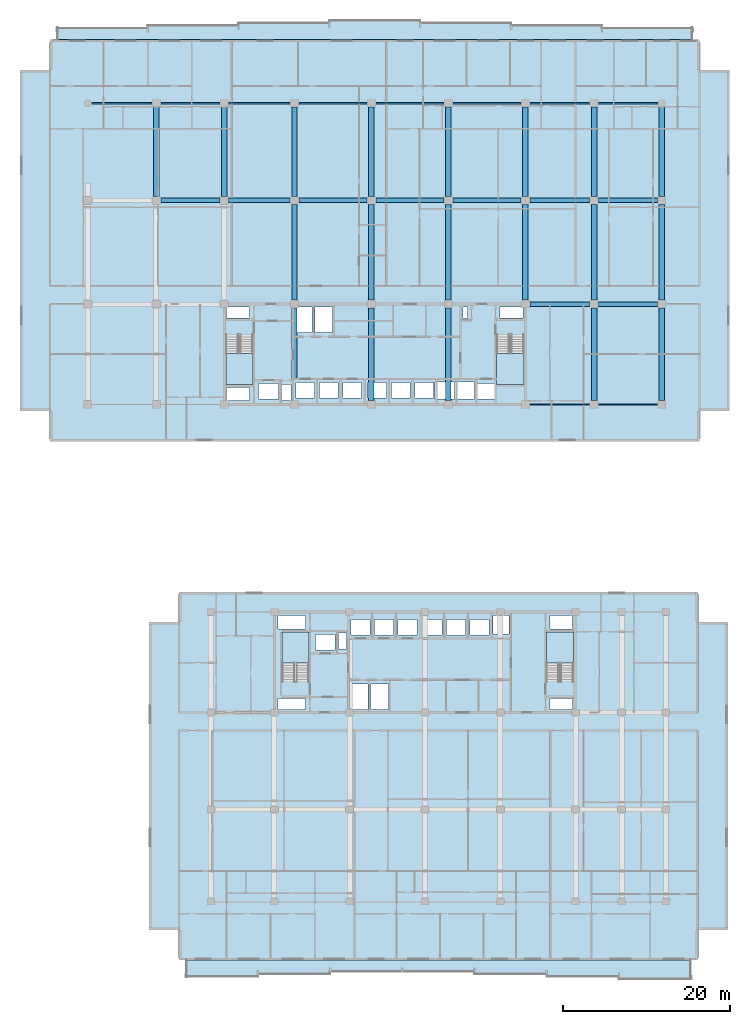
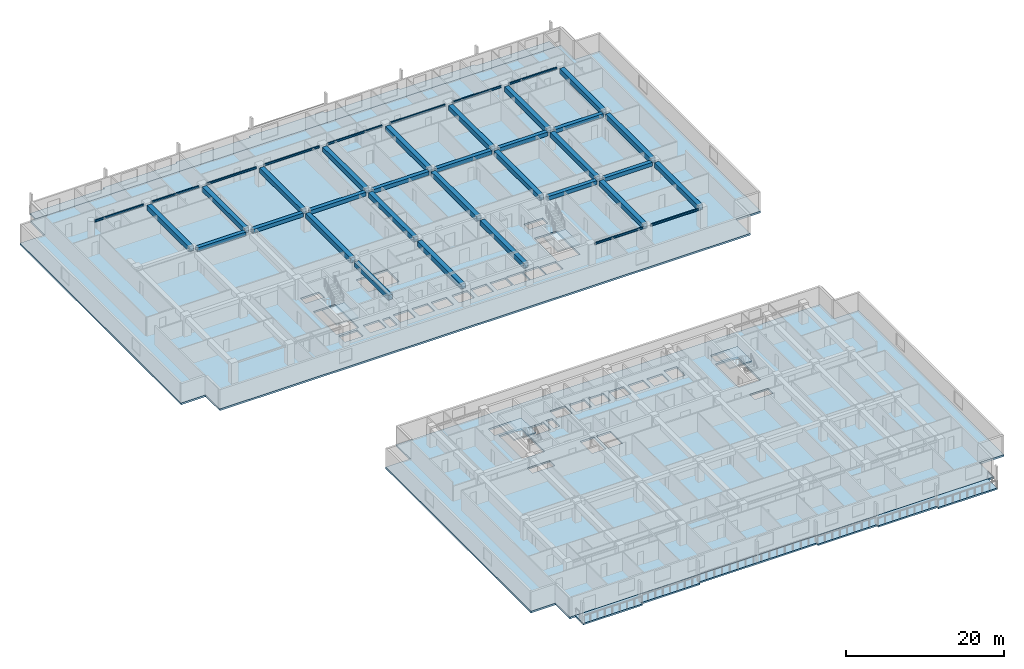
# One storey, part 2 of 23: 38 beams, 8 slabs, 4 elements without a shape of their own.
"""IFC4 building model written with IfcOpenShell, lengths in metres."""

from ifc_helpers import new_model, si_unit, direction, frame, origin, origin_2d, place, context, subcontext, project, spatial, polyline, rectangle, i_section, outline, extrude, material, layer, layer_set, material_profile, profile_set, type_object, element, aggregate, save


model = new_model("IFC4")

# Units and contexts
model_context = context("Model", 3, precision=1e-05, world=origin(), true_north=direction((0.0, 1.0)))
body_context = subcontext(model_context, "Body", "Model", "MODEL_VIEW")
ifc_project = project(units=[si_unit("LENGTHUNIT", "METRE"), si_unit("AREAUNIT", "SQUARE_METRE"), si_unit("VOLUMEUNIT", "CUBIC_METRE"), si_unit("PLANEANGLEUNIT", "RADIAN"), si_unit("MASSUNIT", "GRAM", prefix="KILO")], contexts=[model_context])

# Site, building, storey
site_placement = place(None, origin())
site = spatial("IfcSite", under=ifc_project, at=site_placement, CompositionType="ELEMENT")
building_placement = place(site_placement, origin())
building = spatial("IfcBuilding", under=site, at=building_placement, Name="Korimba Cascade Residences", CompositionType="ELEMENT")
storey_placement = place(building_placement, frame((0.0, 0.0, 53.25)))
storey = spatial("IfcBuildingStorey", under=building, at=storey_placement, Name="L14", CompositionType="ELEMENT", Elevation=53.25)

# Beams
ifc_material_1 = material(Name="Concrete C50/60", Category="concrete")
ifc_material_profile_1 = material_profile(ifc_material_1, rectangle(XDim=0.550048828125, YDim=0.60009765625, at=origin_2d()), Name="Concrete C50/60")
ifc_profile_set_1 = profile_set([ifc_material_profile_1], Name="Concrete C50/60")
beam_type_1 = type_object("IfcBeamType", Name="BM-RC-B600", PredefinedType="BEAM", material=ifc_profile_set_1)
beam_1_placement = place(storey_placement, frame((112.625, 67.199951171875, 2.669921875), z_axis=(1.0, 0.0, 0.0), x_axis=(0.0, 1.0, 0.0)))
element("IfcBeam", 1, at=beam_1_placement, inside=storey, type_object=beam_type_1, Name="L14 T1 E-W Girder Y2 Bay 7", PredefinedType="BEAM", context=body_context, shape_type="SweptSolid", body=[
    extrude(rectangle(XDim=0.550048828125, YDim=0.60009765625, at=origin_2d()), origin(), (0.0, 0.0, 1.0), 7.14990234375),
])
for number, where, z_axis, x_axis, name in (
    (2, (120.824951171875, 67.199951171875, 2.669921875), (1.0, 0.0, 0.0), (0.0, 1.0, 0.0), "L14 T1 E-W Girder Y2 Bay 8"),
    (3, (68.52490234375, 79.60009765625, 2.669921875), (1.0, 0.0, 0.0), (0.0, 1.0, 0.0), "L14 T1 E-W Girder Y3 Bay 2"),
):
    element("IfcBeam", number, at=place(storey_placement, frame(where, z_axis=z_axis, x_axis=x_axis)), inside=storey, type_object=beam_type_1, Name=name, PredefinedType="BEAM", context=body_context, shape_type="SweptSolid", body=[
        extrude(rectangle(XDim=0.550048828125, YDim=0.60009765625, at=origin_2d()), origin(), (0.0, 0.0, 1.0), 7.050048828125),
    ])
beam_2_placement = place(storey_placement, frame((76.625, 79.60009765625, 2.669921875), z_axis=(1.0, 0.0, 0.0), x_axis=(0.0, 1.0, 0.0)))
element("IfcBeam", 4, at=beam_2_placement, inside=storey, type_object=beam_type_1, Name="L14 T1 E-W Girder Y3 Bay 3", PredefinedType="BEAM", context=body_context, shape_type="SweptSolid", body=[
    extrude(rectangle(XDim=0.550048828125, YDim=0.60009765625, at=origin_2d()), origin(), (0.0, 0.0, 1.0), 7.35009765625),
])
beam_3_placement = place(storey_placement, frame((85.02490234375, 79.60009765625, 2.669921875), z_axis=(1.0, 0.0, 0.0), x_axis=(0.0, 1.0, 0.0)))
element("IfcBeam", 5, at=beam_3_placement, inside=storey, type_object=beam_type_1, Name="L14 T1 E-W Girder Y3 Bay 4", PredefinedType="BEAM", context=body_context, shape_type="SweptSolid", body=[
    extrude(rectangle(XDim=0.550048828125, YDim=0.60009765625, at=origin_2d()), origin(), (0.0, 0.0, 1.0), 8.150146484375),
])
for number, where, z_axis, x_axis, name in (
    (6, (94.22509765625, 79.60009765625, 2.669921875), (1.0, 0.0, 0.0), (0.0, 1.0, 0.0), "L14 T1 E-W Girder Y3 Bay 5"),
    (7, (103.425048828125, 79.60009765625, 2.669921875), (1.0, 0.0, 0.0), (0.0, 1.0, 0.0), "L14 T1 E-W Girder Y3 Bay 6"),
):
    element("IfcBeam", number, at=place(storey_placement, frame(where, z_axis=z_axis, x_axis=x_axis)), inside=storey, type_object=beam_type_1, Name=name, PredefinedType="BEAM", context=body_context, shape_type="SweptSolid", body=[
        extrude(rectangle(XDim=0.550048828125, YDim=0.60009765625, at=origin_2d()), origin(), (0.0, 0.0, 1.0), 8.14990234375),
    ])
beam_4_placement = place(storey_placement, frame((112.625, 79.60009765625, 2.669921875), z_axis=(1.0, 0.0, 0.0), x_axis=(0.0, 1.0, 0.0)))
element("IfcBeam", 8, at=beam_4_placement, inside=storey, type_object=beam_type_1, Name="L14 T1 E-W Girder Y3 Bay 7", PredefinedType="BEAM", context=body_context, shape_type="SweptSolid", body=[
    extrude(rectangle(XDim=0.550048828125, YDim=0.60009765625, at=origin_2d()), origin(), (0.0, 0.0, 1.0), 7.14990234375),
])
beam_5_placement = place(storey_placement, frame((120.824951171875, 79.60009765625, 2.669921875), z_axis=(1.0, 0.0, 0.0), x_axis=(0.0, 1.0, 0.0)))
element("IfcBeam", 9, at=beam_5_placement, inside=storey, type_object=beam_type_1, Name="L14 T1 E-W Girder Y3 Bay 8", PredefinedType="BEAM", context=body_context, shape_type="SweptSolid", body=[
    extrude(rectangle(XDim=0.550048828125, YDim=0.60009765625, at=origin_2d()), origin(), (0.0, 0.0, 1.0), 7.050048828125),
])
ifc_material_profile_2 = material_profile(ifc_material_1, rectangle(XDim=0.64990234375, YDim=0.75, at=origin_2d()), Name="Concrete C50/60")
ifc_profile_set_2 = profile_set([ifc_material_profile_2], Name="Concrete C50/60")
beam_type_2 = type_object("IfcBeamType", Name="BM-RC-G750", PredefinedType="BEAM", material=ifc_profile_set_2)
for number, where, z_axis, x_axis, name in (
    (10, (68.0, 80.074951171875, 2.594970703125), (0.0, 1.0, 0.0), (-1.0, 0.0, 0.0), "L14 T1 N-S Girder X2 Seg 3"),
    (11, (76.10009765625, 80.074951171875, 2.594970703125), (0.0, 1.0, 0.0), (-1.0, 0.0, 0.0), "L14 T1 N-S Girder X3 Seg 3"),
):
    element("IfcBeam", number, at=place(storey_placement, frame(where, z_axis=z_axis, x_axis=x_axis)), inside=storey, type_object=beam_type_2, Name=name, PredefinedType="BEAM", context=body_context, shape_type="SweptSolid", body=[
        extrude(rectangle(XDim=0.64990234375, YDim=0.75, at=origin_2d()), origin(), (0.0, 0.0, 1.0), 10.650146484375),
    ])
beam_6_placement = place(storey_placement, frame((84.5, 58.159912109375, 2.594970703125), z_axis=(0.0, 1.0, 0.0), x_axis=(-1.0, 0.0, 0.0)))
element("IfcBeam", 12, at=beam_6_placement, inside=storey, type_object=beam_type_2, Name="L14 T1 N-S Girder X4 Seg 1", PredefinedType="BEAM", context=body_context, shape_type="SweptSolid", body=[
    extrude(rectangle(XDim=0.64990234375, YDim=0.75, at=origin_2d()), origin(), (0.0, 0.0, 1.0), 8.565185546875),
])
beam_7_placement = place(storey_placement, frame((84.5, 67.675048828125, 2.594970703125), z_axis=(0.0, 1.0, 0.0), x_axis=(-1.0, 0.0, 0.0)))
element("IfcBeam", 13, at=beam_7_placement, inside=storey, type_object=beam_type_2, Name="L14 T1 N-S Girder X4 Seg 2", PredefinedType="BEAM", context=body_context, shape_type="SweptSolid", body=[
    extrude(rectangle(XDim=0.64990234375, YDim=0.75, at=origin_2d()), origin(), (0.0, 0.0, 1.0), 11.449951171875),
])
beam_8_placement = place(storey_placement, frame((84.5, 80.074951171875, 2.594970703125), z_axis=(0.0, 1.0, 0.0), x_axis=(-1.0, 0.0, 0.0)))
element("IfcBeam", 14, at=beam_8_placement, inside=storey, type_object=beam_type_2, Name="L14 T1 N-S Girder X4 Seg 3", PredefinedType="BEAM", context=body_context, shape_type="SweptSolid", body=[
    extrude(rectangle(XDim=0.64990234375, YDim=0.75, at=origin_2d()), origin(), (0.0, 0.0, 1.0), 10.650146484375),
])
beam_9_placement = place(storey_placement, frame((93.699951171875, 55.675048828125, 2.594970703125), z_axis=(0.0, 1.0, 0.0), x_axis=(-1.0, 0.0, 0.0)))
element("IfcBeam", 15, at=beam_9_placement, inside=storey, type_object=beam_type_2, Name="L14 T1 N-S Girder X5 Seg 1", PredefinedType="BEAM", context=body_context, shape_type="SweptSolid", body=[
    extrude(rectangle(XDim=0.64990234375, YDim=0.75, at=origin_2d()), origin(), (0.0, 0.0, 1.0), 11.050048828125),
])
beam_10_placement = place(storey_placement, frame((93.699951171875, 67.675048828125, 2.594970703125), z_axis=(0.0, 1.0, 0.0), x_axis=(-1.0, 0.0, 0.0)))
element("IfcBeam", 16, at=beam_10_placement, inside=storey, type_object=beam_type_2, Name="L14 T1 N-S Girder X5 Seg 2", PredefinedType="BEAM", context=body_context, shape_type="SweptSolid", body=[
    extrude(rectangle(XDim=0.64990234375, YDim=0.75, at=origin_2d()), origin(), (0.0, 0.0, 1.0), 11.449951171875),
])
beam_11_placement = place(storey_placement, frame((93.699951171875, 80.074951171875, 2.594970703125), z_axis=(0.0, 1.0, 0.0), x_axis=(-1.0, 0.0, 0.0)))
element("IfcBeam", 17, at=beam_11_placement, inside=storey, type_object=beam_type_2, Name="L14 T1 N-S Girder X5 Seg 3", PredefinedType="BEAM", context=body_context, shape_type="SweptSolid", body=[
    extrude(rectangle(XDim=0.64990234375, YDim=0.75, at=origin_2d()), origin(), (0.0, 0.0, 1.0), 10.650146484375),
])
beam_12_placement = place(storey_placement, frame((102.89990234375, 55.675048828125, 2.594970703125), z_axis=(0.0, 1.0, 0.0), x_axis=(-1.0, 0.0, 0.0)))
element("IfcBeam", 18, at=beam_12_placement, inside=storey, type_object=beam_type_2, Name="L14 T1 N-S Girder X6 Seg 1", PredefinedType="BEAM", context=body_context, shape_type="SweptSolid", body=[
    extrude(rectangle(XDim=0.64990234375, YDim=0.75, at=origin_2d()), origin(), (0.0, 0.0, 1.0), 11.050048828125),
])
beam_13_placement = place(storey_placement, frame((102.89990234375, 67.675048828125, 2.594970703125), z_axis=(0.0, 1.0, 0.0), x_axis=(-1.0, 0.0, 0.0)))
element("IfcBeam", 19, at=beam_13_placement, inside=storey, type_object=beam_type_2, Name="L14 T1 N-S Girder X6 Seg 2", PredefinedType="BEAM", context=body_context, shape_type="SweptSolid", body=[
    extrude(rectangle(XDim=0.64990234375, YDim=0.75, at=origin_2d()), origin(), (0.0, 0.0, 1.0), 11.449951171875),
])
beam_14_placement = place(storey_placement, frame((102.89990234375, 80.074951171875, 2.594970703125), z_axis=(0.0, 1.0, 0.0), x_axis=(-1.0, 0.0, 0.0)))
element("IfcBeam", 20, at=beam_14_placement, inside=storey, type_object=beam_type_2, Name="L14 T1 N-S Girder X6 Seg 3", PredefinedType="BEAM", context=body_context, shape_type="SweptSolid", body=[
    extrude(rectangle(XDim=0.64990234375, YDim=0.75, at=origin_2d()), origin(), (0.0, 0.0, 1.0), 10.650146484375),
])
beam_15_placement = place(storey_placement, frame((112.10009765625, 67.675048828125, 2.594970703125), z_axis=(0.0, 1.0, 0.0), x_axis=(-1.0, 0.0, 0.0)))
element("IfcBeam", 21, at=beam_15_placement, inside=storey, type_object=beam_type_2, Name="L14 T1 N-S Girder X7 Seg 2", PredefinedType="BEAM", context=body_context, shape_type="SweptSolid", body=[
    extrude(rectangle(XDim=0.64990234375, YDim=0.75, at=origin_2d()), origin(), (0.0, 0.0, 1.0), 11.449951171875),
])
beam_16_placement = place(storey_placement, frame((112.10009765625, 80.074951171875, 2.594970703125), z_axis=(0.0, 1.0, 0.0), x_axis=(-1.0, 0.0, 0.0)))
element("IfcBeam", 22, at=beam_16_placement, inside=storey, type_object=beam_type_2, Name="L14 T1 N-S Girder X7 Seg 3", PredefinedType="BEAM", context=body_context, shape_type="SweptSolid", body=[
    extrude(rectangle(XDim=0.64990234375, YDim=0.75, at=origin_2d()), origin(), (0.0, 0.0, 1.0), 10.650146484375),
])
beam_17_placement = place(storey_placement, frame((120.300048828125, 55.675048828125, 2.594970703125), z_axis=(0.0, 1.0, 0.0), x_axis=(-1.0, 0.0, 0.0)))
element("IfcBeam", 23, at=beam_17_placement, inside=storey, type_object=beam_type_2, Name="L14 T1 N-S Girder X8 Seg 1", PredefinedType="BEAM", context=body_context, shape_type="SweptSolid", body=[
    extrude(rectangle(XDim=0.64990234375, YDim=0.75, at=origin_2d()), origin(), (0.0, 0.0, 1.0), 11.050048828125),
])
beam_18_placement = place(storey_placement, frame((120.300048828125, 67.675048828125, 2.594970703125), z_axis=(0.0, 1.0, 0.0), x_axis=(-1.0, 0.0, 0.0)))
element("IfcBeam", 24, at=beam_18_placement, inside=storey, type_object=beam_type_2, Name="L14 T1 N-S Girder X8 Seg 2", PredefinedType="BEAM", context=body_context, shape_type="SweptSolid", body=[
    extrude(rectangle(XDim=0.64990234375, YDim=0.75, at=origin_2d()), origin(), (0.0, 0.0, 1.0), 11.449951171875),
])
beam_19_placement = place(storey_placement, frame((120.300048828125, 80.074951171875, 2.594970703125), z_axis=(0.0, 1.0, 0.0), x_axis=(-1.0, 0.0, 0.0)))
element("IfcBeam", 25, at=beam_19_placement, inside=storey, type_object=beam_type_2, Name="L14 T1 N-S Girder X8 Seg 3", PredefinedType="BEAM", context=body_context, shape_type="SweptSolid", body=[
    extrude(rectangle(XDim=0.64990234375, YDim=0.75, at=origin_2d()), origin(), (0.0, 0.0, 1.0), 10.650146484375),
])
beam_20_placement = place(storey_placement, frame((128.39990234375, 55.675048828125, 2.594970703125), z_axis=(0.0, 1.0, 0.0), x_axis=(-1.0, 0.0, 0.0)))
element("IfcBeam", 26, at=beam_20_placement, inside=storey, type_object=beam_type_2, Name="L14 T1 N-S Girder X9 Seg 1", PredefinedType="BEAM", context=body_context, shape_type="SweptSolid", body=[
    extrude(rectangle(XDim=0.64990234375, YDim=0.75, at=origin_2d()), origin(), (0.0, 0.0, 1.0), 11.050048828125),
])
beam_21_placement = place(storey_placement, frame((128.39990234375, 67.675048828125, 2.594970703125), z_axis=(0.0, 1.0, 0.0), x_axis=(-1.0, 0.0, 0.0)))
element("IfcBeam", 27, at=beam_21_placement, inside=storey, type_object=beam_type_2, Name="L14 T1 N-S Girder X9 Seg 2", PredefinedType="BEAM", context=body_context, shape_type="SweptSolid", body=[
    extrude(rectangle(XDim=0.64990234375, YDim=0.75, at=origin_2d()), origin(), (0.0, 0.0, 1.0), 11.449951171875),
])
beam_22_placement = place(storey_placement, frame((128.39990234375, 80.074951171875, 2.594970703125), z_axis=(0.0, 1.0, 0.0), x_axis=(-1.0, 0.0, 0.0)))
element("IfcBeam", 28, at=beam_22_placement, inside=storey, type_object=beam_type_2, Name="L14 T1 N-S Girder X9 Seg 3", PredefinedType="BEAM", context=body_context, shape_type="SweptSolid", body=[
    extrude(rectangle(XDim=0.64990234375, YDim=0.75, at=origin_2d()), origin(), (0.0, 0.0, 1.0), 10.650146484375),
])
ifc_material_2 = material(Name="Steel S355", Category="steel")
ifc_material_profile_3 = material_profile(ifc_material_2, i_section(OverallWidth=0.165771484375, OverallDepth=0.306640625, WebThickness=0.006591796875, FlangeThickness=0.01171875, FilletRadius=0.0087890625, at=origin_2d()), Name="Steel S355")
ifc_profile_set_3 = profile_set([ifc_material_profile_3], Name="Steel S355")
beam_type_3 = type_object("IfcBeamType", Name="BM-STL-UB305", PredefinedType="SPANDREL", material=ifc_profile_set_3)
beam_23_placement = place(storey_placement, frame((112.625, 55.199951171875, 2.816650390625), z_axis=(1.0, 0.0, 0.0), x_axis=(0.0, 1.0, 0.0)))
element("IfcBeam", 29, at=beam_23_placement, inside=storey, type_object=beam_type_3, Name="L14 T1 E-W Girder Y1 Bay 7", PredefinedType="SPANDREL", context=body_context, shape_type="SweptSolid", body=[
    extrude(i_section(OverallWidth=0.165771484375, OverallDepth=0.306640625, WebThickness=0.006591796875, FlangeThickness=0.01171875, FilletRadius=0.0087890625, at=origin_2d()), origin(), (0.0, 0.0, 1.0), 7.14990234375),
])
beam_24_placement = place(storey_placement, frame((120.824951171875, 55.199951171875, 2.816650390625), z_axis=(1.0, 0.0, 0.0), x_axis=(0.0, 1.0, 0.0)))
element("IfcBeam", 30, at=beam_24_placement, inside=storey, type_object=beam_type_3, Name="L14 T1 E-W Girder Y1 Bay 8", PredefinedType="SPANDREL", context=body_context, shape_type="SweptSolid", body=[
    extrude(i_section(OverallWidth=0.165771484375, OverallDepth=0.306640625, WebThickness=0.006591796875, FlangeThickness=0.01171875, FilletRadius=0.0087890625, at=origin_2d()), origin(), (0.0, 0.0, 1.0), 7.050048828125),
])
beam_25_placement = place(storey_placement, frame((60.27490234375, 91.199951171875, 2.816650390625), z_axis=(1.0, 0.0, 0.0), x_axis=(0.0, 1.0, 0.0)))
element("IfcBeam", 31, at=beam_25_placement, inside=storey, type_object=beam_type_3, Name="L14 T1 E-W Girder Y4 Bay 1", PredefinedType="SPANDREL", context=body_context, shape_type="SweptSolid", body=[
    extrude(i_section(OverallWidth=0.165771484375, OverallDepth=0.306640625, WebThickness=0.006591796875, FlangeThickness=0.01171875, FilletRadius=0.0087890625, at=origin_2d()), origin(), (0.0, 0.0, 1.0), 7.2001953125),
])
beam_26_placement = place(storey_placement, frame((68.52490234375, 91.199951171875, 2.816650390625), z_axis=(1.0, 0.0, 0.0), x_axis=(0.0, 1.0, 0.0)))
element("IfcBeam", 32, at=beam_26_placement, inside=storey, type_object=beam_type_3, Name="L14 T1 E-W Girder Y4 Bay 2", PredefinedType="SPANDREL", context=body_context, shape_type="SweptSolid", body=[
    extrude(i_section(OverallWidth=0.165771484375, OverallDepth=0.306640625, WebThickness=0.006591796875, FlangeThickness=0.01171875, FilletRadius=0.0087890625, at=origin_2d()), origin(), (0.0, 0.0, 1.0), 7.050048828125),
])
beam_27_placement = place(storey_placement, frame((76.625, 91.199951171875, 2.816650390625), z_axis=(1.0, 0.0, 0.0), x_axis=(0.0, 1.0, 0.0)))
element("IfcBeam", 33, at=beam_27_placement, inside=storey, type_object=beam_type_3, Name="L14 T1 E-W Girder Y4 Bay 3", PredefinedType="SPANDREL", context=body_context, shape_type="SweptSolid", body=[
    extrude(i_section(OverallWidth=0.165771484375, OverallDepth=0.306640625, WebThickness=0.006591796875, FlangeThickness=0.01171875, FilletRadius=0.0087890625, at=origin_2d()), origin(), (0.0, 0.0, 1.0), 7.35009765625),
])
beam_28_placement = place(storey_placement, frame((85.02490234375, 91.199951171875, 2.816650390625), z_axis=(1.0, 0.0, 0.0), x_axis=(0.0, 1.0, 0.0)))
element("IfcBeam", 34, at=beam_28_placement, inside=storey, type_object=beam_type_3, Name="L14 T1 E-W Girder Y4 Bay 4", PredefinedType="SPANDREL", context=body_context, shape_type="SweptSolid", body=[
    extrude(i_section(OverallWidth=0.165771484375, OverallDepth=0.306640625, WebThickness=0.006591796875, FlangeThickness=0.01171875, FilletRadius=0.0087890625, at=origin_2d()), origin(), (0.0, 0.0, 1.0), 8.150146484375),
])
for number, where, z_axis, x_axis, name in (
    (35, (94.22509765625, 91.199951171875, 2.816650390625), (1.0, 0.0, 0.0), (0.0, 1.0, 0.0), "L14 T1 E-W Girder Y4 Bay 5"),
    (36, (103.425048828125, 91.199951171875, 2.816650390625), (1.0, 0.0, 0.0), (0.0, 1.0, 0.0), "L14 T1 E-W Girder Y4 Bay 6"),
):
    element("IfcBeam", number, at=place(storey_placement, frame(where, z_axis=z_axis, x_axis=x_axis)), inside=storey, type_object=beam_type_3, Name=name, PredefinedType="SPANDREL", context=body_context, shape_type="SweptSolid", body=[
        extrude(i_section(OverallWidth=0.165771484375, OverallDepth=0.306640625, WebThickness=0.006591796875, FlangeThickness=0.01171875, FilletRadius=0.0087890625, at=origin_2d()), origin(), (0.0, 0.0, 1.0), 8.14990234375),
    ])
beam_29_placement = place(storey_placement, frame((112.625, 91.199951171875, 2.816650390625), z_axis=(1.0, 0.0, 0.0), x_axis=(0.0, 1.0, 0.0)))
element("IfcBeam", 37, at=beam_29_placement, inside=storey, type_object=beam_type_3, Name="L14 T1 E-W Girder Y4 Bay 7", PredefinedType="SPANDREL", context=body_context, shape_type="SweptSolid", body=[
    extrude(i_section(OverallWidth=0.165771484375, OverallDepth=0.306640625, WebThickness=0.006591796875, FlangeThickness=0.01171875, FilletRadius=0.0087890625, at=origin_2d()), origin(), (0.0, 0.0, 1.0), 7.14990234375),
])
beam_30_placement = place(storey_placement, frame((120.824951171875, 91.199951171875, 2.816650390625), z_axis=(1.0, 0.0, 0.0), x_axis=(0.0, 1.0, 0.0)))
element("IfcBeam", 38, at=beam_30_placement, inside=storey, type_object=beam_type_3, Name="L14 T1 E-W Girder Y4 Bay 8", PredefinedType="SPANDREL", context=body_context, shape_type="SweptSolid", body=[
    extrude(i_section(OverallWidth=0.165771484375, OverallDepth=0.306640625, WebThickness=0.006591796875, FlangeThickness=0.01171875, FilletRadius=0.0087890625, at=origin_2d()), origin(), (0.0, 0.0, 1.0), 7.10009765625),
])

# Stair, slab
stair_type_1 = type_object("IfcStairType", Name="STR-W1-18R-1806", PredefinedType="HALF_TURN_STAIR", material=ifc_material_1)
stair_1_placement = place(storey_placement, origin())
stair_1 = element("IfcStair", 39, at=stair_1_placement, inside=storey, type_object=stair_type_1, Name="L14 Tower 1 West Fire Stair ST-W1", PredefinedType="HALF_TURN_STAIR")
ifc_layer_1 = layer(ifc_material_1, 0.199951171875)
ifc_layer_set_1 = layer_set([ifc_layer_1], Name="Concrete C50/60")
slab_type_1 = type_object("IfcSlabType", Name="SLB-LND-220", PredefinedType="LANDING", material=ifc_layer_set_1)
slab_1_placement = place(storey_placement, frame((0.0, 0.0, 1.425048828125)))
slab_1 = element("IfcSlab", 40, at=slab_1_placement, type_object=slab_type_1, Name="ST-W1 landing 1", PredefinedType="LANDING", context=body_context, shape_type="SweptSolid", body=[
    extrude(outline(polyline([(76.300048828125, 61.31005859375), (76.300048828125, 57.60009765625), (79.5400390625, 57.60009765625), (79.5400390625, 61.31005859375), (76.300048828125, 61.31005859375)])), origin(), (0.0, 0.0, 1.0), 0.199951171875),
])
aggregate(stair_1, [slab_1])

stair_type_2 = type_object("IfcStairType", Name="STR-W2-18R-1806", PredefinedType="HALF_TURN_STAIR", material=ifc_material_1)
stair_2_placement = place(storey_placement, origin())
stair_2 = element("IfcStair", 41, at=stair_2_placement, inside=storey, type_object=stair_type_2, Name="L14 Tower 1 East Fire Stair ST-W2", PredefinedType="HALF_TURN_STAIR")
slab_2_placement = place(storey_placement, frame((0.0, 0.0, 1.425048828125)))
slab_2 = element("IfcSlab", 42, at=slab_2_placement, type_object=slab_type_1, Name="ST-W2 landing 1", PredefinedType="LANDING", context=body_context, shape_type="SweptSolid", body=[
    extrude(outline(polyline([(108.659912109375, 61.31005859375), (108.659912109375, 57.60009765625), (111.89990234375, 57.60009765625), (111.89990234375, 61.31005859375), (108.659912109375, 61.31005859375)])), origin(), (0.0, 0.0, 1.0), 0.199951171875),
])
aggregate(stair_2, [slab_2])

stair_type_3 = type_object("IfcStairType", Name="STR-E1-18R-1806", PredefinedType="HALF_TURN_STAIR", material=ifc_material_1)
stair_3_placement = place(storey_placement, origin())
stair_3 = element("IfcStair", 43, at=stair_3_placement, inside=storey, type_object=stair_type_3, Name="L14 Tower 2 West Fire Stair ST-E1", PredefinedType="HALF_TURN_STAIR")
slab_3_placement = place(storey_placement, frame((0.0, 0.0, 1.425048828125)))
slab_3 = element("IfcSlab", 44, at=slab_3_placement, type_object=slab_type_1, Name="ST-E1 landing 1", PredefinedType="LANDING", context=body_context, shape_type="SweptSolid", body=[
    extrude(outline(polyline([(86.239990234375, 24.2900390625), (86.239990234375, 28.0), (83.0, 28.0), (83.0, 24.2900390625), (86.239990234375, 24.2900390625)])), origin(), (0.0, 0.0, 1.0), 0.199951171875),
])
aggregate(stair_3, [slab_3])

stair_type_4 = type_object("IfcStairType", Name="STR-E2-18R-1806", PredefinedType="HALF_TURN_STAIR", material=ifc_material_1)
stair_4_placement = place(storey_placement, origin())
stair_4 = element("IfcStair", 45, at=stair_4_placement, inside=storey, type_object=stair_type_4, Name="L14 Tower 2 East Fire Stair ST-E2", PredefinedType="HALF_TURN_STAIR")
slab_4_placement = place(storey_placement, frame((0.0, 0.0, 1.425048828125)))
slab_4 = element("IfcSlab", 46, at=slab_4_placement, type_object=slab_type_1, Name="ST-E2 landing 1", PredefinedType="LANDING", context=body_context, shape_type="SweptSolid", body=[
    extrude(outline(polyline([(117.840087890625, 24.2900390625), (117.840087890625, 28.0), (114.60009765625, 28.0), (114.60009765625, 24.2900390625), (117.840087890625, 24.2900390625)])), origin(), (0.0, 0.0, 1.0), 0.199951171875),
])
aggregate(stair_4, [slab_4])

# Slabs
ifc_material_3 = material(Name="Precast concrete C40/50", Category="concrete")
ifc_layer_2 = layer(ifc_material_3, 0.239990234375)
ifc_layer_set_2 = layer_set([ifc_layer_2], Name="Precast concrete C40/50")
slab_type_2 = type_object("IfcSlabType", Name="SLB-LOG-240", PredefinedType="FLOOR", material=ifc_layer_set_2)
slab_5_placement = place(storey_placement, frame((0.0, 0.0, -0.239990234375)))
element("IfcSlab", 47, at=slab_5_placement, inside=storey, type_object=slab_type_2, Name="L14 Tower 1 North Loggia Slab", PredefinedType="FLOOR", context=body_context, shape_type="SweptSolid", body=[
    extrude(outline(polyline([(56.10009765625, 98.800048828125), (132.10009765625, 98.800048828125), (132.10009765625, 100.25), (121.242919921875, 100.25), (121.242919921875, 100.550048828125), (110.3857421875, 100.550048828125), (110.3857421875, 100.85009765625), (99.528564453125, 100.85009765625), (99.528564453125, 101.14990234375), (88.67138671875, 101.14990234375), (88.67138671875, 100.85009765625), (77.814208984375, 100.85009765625), (77.814208984375, 100.550048828125), (66.95703125, 100.550048828125), (66.95703125, 100.25), (56.10009765625, 100.25), (56.10009765625, 98.800048828125)])), origin(), (0.0, 0.0, 1.0), 0.239990234375),
])
slab_6_placement = place(storey_placement, frame((0.0, 0.0, -0.239990234375)))
element("IfcSlab", 48, at=slab_6_placement, inside=storey, type_object=slab_type_2, Name="L14 Tower 2 South Loggia Slab", PredefinedType="FLOOR", context=body_context, shape_type="SweptSolid", body=[
    extrude(outline(polyline([(71.5, -13.25), (80.128662109375, -13.25), (80.128662109375, -12.949951171875), (88.757080078125, -12.949951171875), (88.757080078125, -12.64990234375), (106.014404296875, -12.64990234375), (106.014404296875, -12.949951171875), (114.642822265625, -12.949951171875), (114.642822265625, -13.25), (123.271484375, -13.25), (123.271484375, -13.550048828125), (131.89990234375, -13.550048828125), (131.89990234375, -11.199951171875), (71.5, -11.199951171875), (71.5, -13.25)])), origin(), (0.0, 0.0, 1.0), 0.239990234375),
])
ifc_layer_3 = layer(ifc_material_1, 0.280029296875)
ifc_layer_set_3 = layer_set([ifc_layer_3], Name="Concrete C50/60")
slab_type_3 = type_object("IfcSlabType", Name="SLB-TYP-280", PredefinedType="FLOOR", material=ifc_layer_set_3)
slab_7_placement = place(storey_placement, frame((0.0, 0.0, -0.280029296875)))
element("IfcSlab", 49, at=slab_7_placement, inside=storey, type_object=slab_type_3, Name="L14 Tower 1 Floor Slab", PredefinedType="FLOOR", context=body_context, shape_type="SweptSolid", body=[
    extrude(outline(polyline([(55.300048828125, 50.800048828125), (132.89990234375, 50.800048828125), (132.89990234375, 54.39990234375), (136.5, 54.39990234375), (136.5, 95.199951171875), (132.89990234375, 95.199951171875), (132.89990234375, 98.800048828125), (55.300048828125, 98.800048828125), (55.300048828125, 95.199951171875), (51.699951171875, 95.199951171875), (51.699951171875, 54.39990234375), (55.300048828125, 54.39990234375), (55.300048828125, 50.800048828125)]), holes=[polyline([(76.300048828125, 63.514892578125), (76.300048828125, 57.60009765625), (79.5400390625, 57.60009765625), (79.5400390625, 63.514892578125), (76.300048828125, 63.514892578125)]), polyline([(108.659912109375, 63.514892578125), (108.659912109375, 57.60009765625), (111.89990234375, 57.60009765625), (111.89990234375, 63.514892578125), (108.659912109375, 63.514892578125)]), polyline([(80.22998046875, 55.8798828125), (82.570068359375, 55.8798828125), (82.570068359375, 57.719970703125), (80.22998046875, 57.719970703125), (80.22998046875, 55.8798828125)]), polyline([(106.080078125, 55.8798828125), (108.419921875, 55.8798828125), (108.419921875, 57.719970703125), (106.080078125, 57.719970703125), (106.080078125, 55.8798828125)]), polyline([(84.679931640625, 55.97998046875), (86.919921875, 55.97998046875), (86.919921875, 57.820068359375), (84.679931640625, 57.820068359375), (84.679931640625, 55.97998046875)]), polyline([(87.47998046875, 55.97998046875), (89.719970703125, 55.97998046875), (89.719970703125, 57.820068359375), (87.47998046875, 57.820068359375), (87.47998046875, 55.97998046875)]), polyline([(90.280029296875, 55.97998046875), (92.52001953125, 55.97998046875), (92.52001953125, 57.820068359375), (90.280029296875, 57.820068359375), (90.280029296875, 55.97998046875)]), polyline([(93.280029296875, 55.97998046875), (95.52001953125, 55.97998046875), (95.52001953125, 57.820068359375), (93.280029296875, 57.820068359375), (93.280029296875, 55.97998046875)]), polyline([(96.080078125, 55.97998046875), (98.320068359375, 55.97998046875), (98.320068359375, 57.820068359375), (96.080078125, 57.820068359375), (96.080078125, 55.97998046875)]), polyline([(98.8798828125, 55.97998046875), (101.1201171875, 55.97998046875), (101.1201171875, 57.820068359375), (98.8798828125, 57.820068359375), (98.8798828125, 55.97998046875)]), polyline([(101.304931640625, 55.8798828125), (103.594970703125, 55.8798828125), (103.594970703125, 57.919921875), (101.304931640625, 57.919921875), (101.304931640625, 55.8798828125)]), polyline([(103.705078125, 55.8798828125), (105.9951171875, 55.8798828125), (105.9951171875, 57.919921875), (103.705078125, 57.919921875), (103.705078125, 55.8798828125)]), polyline([(82.97998046875, 55.679931640625), (84.080078125, 55.679931640625), (84.080078125, 57.6201171875), (82.97998046875, 57.6201171875), (82.97998046875, 55.679931640625)]), polyline([(76.39990234375, 65.56005859375), (79.10009765625, 65.56005859375), (79.10009765625, 66.8798828125), (76.39990234375, 66.8798828125), (76.39990234375, 65.56005859375)]), polyline([(76.39990234375, 55.679931640625), (79.10009765625, 55.679931640625), (79.10009765625, 57.239990234375), (76.39990234375, 57.239990234375), (76.39990234375, 55.679931640625)]), polyline([(84.530029296875, 63.820068359375), (86.6201171875, 63.820068359375), (86.6201171875, 66.8798828125), (84.530029296875, 66.8798828125), (84.530029296875, 63.820068359375)]), polyline([(86.97998046875, 63.820068359375), (89.070068359375, 63.820068359375), (89.070068359375, 66.8798828125), (86.97998046875, 66.8798828125), (86.97998046875, 63.820068359375)]), polyline([(104.6201171875, 65.4599609375), (105.179931640625, 65.4599609375), (105.179931640625, 66.8798828125), (104.6201171875, 66.8798828125), (104.6201171875, 65.4599609375)]), polyline([(109.080078125, 65.56005859375), (111.800048828125, 65.56005859375), (111.800048828125, 66.8798828125), (109.080078125, 66.8798828125), (109.080078125, 65.56005859375)])]), origin(), (0.0, 0.0, 1.0), 0.280029296875),
])
slab_8_placement = place(storey_placement, frame((0.0, 0.0, -0.280029296875)))
element("IfcSlab", 50, at=slab_8_placement, inside=storey, type_object=slab_type_3, Name="L14 Tower 2 Floor Slab", PredefinedType="FLOOR", context=body_context, shape_type="SweptSolid", body=[
    extrude(outline(polyline([(70.699951171875, -11.199951171875), (132.699951171875, -11.199951171875), (132.699951171875, -7.60009765625), (136.300048828125, -7.60009765625), (136.300048828125, 29.199951171875), (132.699951171875, 29.199951171875), (132.699951171875, 32.800048828125), (70.699951171875, 32.800048828125), (70.699951171875, 29.199951171875), (67.10009765625, 29.199951171875), (67.10009765625, -7.60009765625), (70.699951171875, -7.60009765625), (70.699951171875, -11.199951171875)]), holes=[polyline([(86.239990234375, 22.0849609375), (86.239990234375, 28.0), (83.0, 28.0), (83.0, 22.0849609375), (86.239990234375, 22.0849609375)]), polyline([(117.840087890625, 22.0849609375), (117.840087890625, 28.0), (114.60009765625, 28.0), (114.60009765625, 22.0849609375), (117.840087890625, 22.0849609375)]), polyline([(87.030029296875, 25.8798828125), (89.3701171875, 25.8798828125), (89.3701171875, 27.719970703125), (87.030029296875, 27.719970703125), (87.030029296875, 25.8798828125)]), polyline([(91.280029296875, 27.679931640625), (93.52001953125, 27.679931640625), (93.52001953125, 29.52001953125), (91.280029296875, 29.52001953125), (91.280029296875, 27.679931640625)]), polyline([(94.080078125, 27.679931640625), (96.320068359375, 27.679931640625), (96.320068359375, 29.52001953125), (94.080078125, 29.52001953125), (94.080078125, 27.679931640625)]), polyline([(96.8798828125, 27.679931640625), (99.1201171875, 27.679931640625), (99.1201171875, 29.52001953125), (96.8798828125, 29.52001953125), (96.8798828125, 27.679931640625)]), polyline([(99.8798828125, 27.679931640625), (102.1201171875, 27.679931640625), (102.1201171875, 29.52001953125), (99.8798828125, 29.52001953125), (99.8798828125, 27.679931640625)]), polyline([(102.679931640625, 27.679931640625), (104.919921875, 27.679931640625), (104.919921875, 29.52001953125), (102.679931640625, 29.52001953125), (102.679931640625, 27.679931640625)]), polyline([(105.47998046875, 27.679931640625), (107.719970703125, 27.679931640625), (107.719970703125, 29.52001953125), (105.47998046875, 29.52001953125), (105.47998046875, 27.679931640625)]), polyline([(89.780029296875, 25.97998046875), (90.719970703125, 25.97998046875), (90.719970703125, 27.919921875), (89.780029296875, 27.919921875), (89.780029296875, 25.97998046875)]), polyline([(82.530029296875, 18.72998046875), (85.800048828125, 18.72998046875), (85.800048828125, 20.0400390625), (82.530029296875, 20.0400390625), (82.530029296875, 18.72998046875)]), polyline([(82.530029296875, 28.360107421875), (85.800048828125, 28.360107421875), (85.800048828125, 29.969970703125), (82.530029296875, 29.969970703125), (82.530029296875, 28.360107421875)]), polyline([(108.22998046875, 27.780029296875), (110.1201171875, 27.780029296875), (110.1201171875, 29.969970703125), (108.22998046875, 29.969970703125), (108.22998046875, 27.780029296875)]), polyline([(91.22998046875, 18.72998046875), (93.27001953125, 18.72998046875), (93.27001953125, 21.780029296875), (91.22998046875, 21.780029296875), (91.22998046875, 18.72998046875)]), polyline([(93.6298828125, 18.72998046875), (95.719970703125, 18.72998046875), (95.719970703125, 21.780029296875), (93.6298828125, 21.780029296875), (93.6298828125, 18.72998046875)]), polyline([(115.02001953125, 18.72998046875), (117.739990234375, 18.72998046875), (117.739990234375, 20.0400390625), (115.02001953125, 20.0400390625), (115.02001953125, 18.72998046875)]), polyline([(115.02001953125, 28.360107421875), (117.739990234375, 28.360107421875), (117.739990234375, 29.969970703125), (115.02001953125, 29.969970703125), (115.02001953125, 28.360107421875)])]), origin(), (0.0, 0.0, 1.0), 0.280029296875),
])

save(model, "model.ifc")
